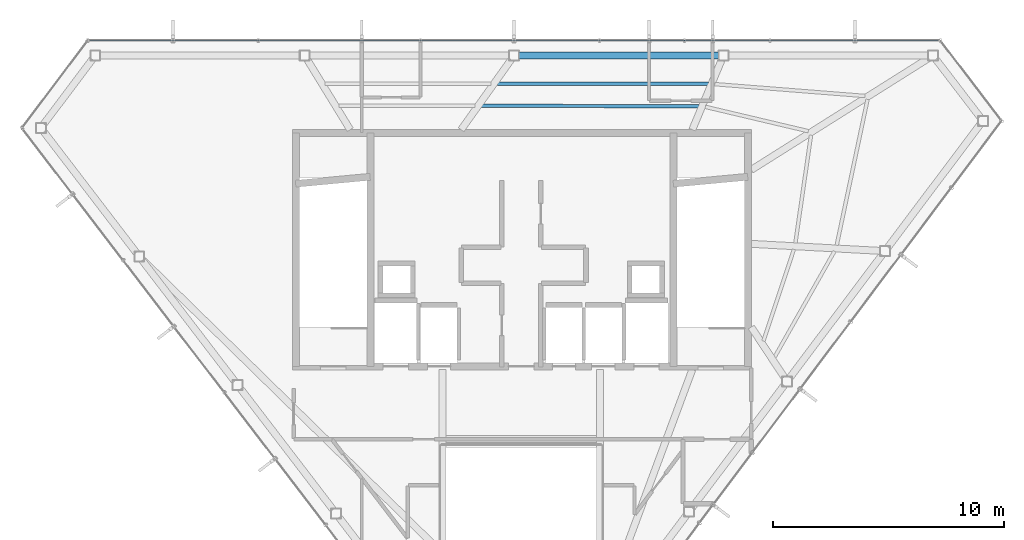
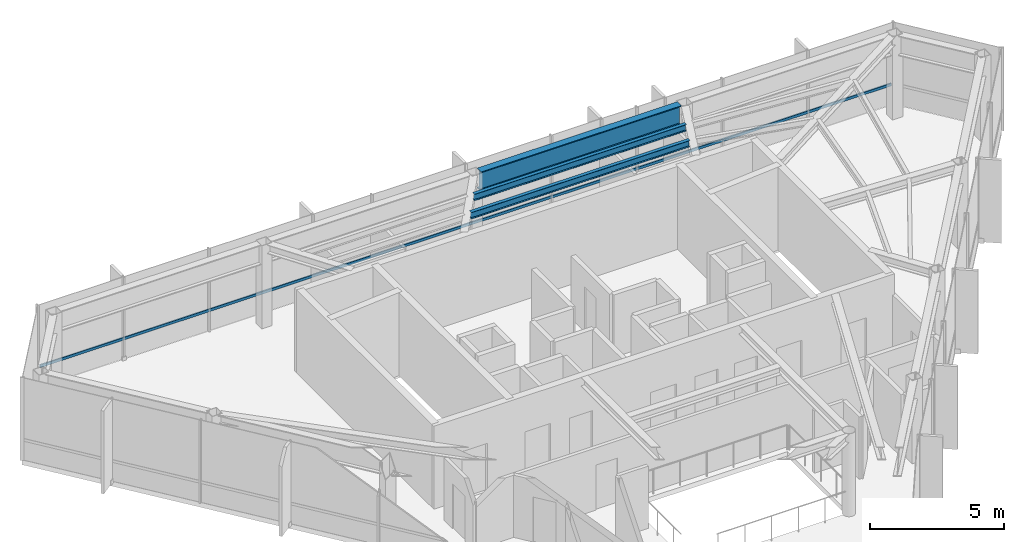
# One storey, part 12 of 21: 3 beams, 1 member, 1 element without a shape of its own.
"""IFC4 building model written with IfcOpenShell, lengths in metres."""

from ifc_helpers import new_model, si_unit, direction, frame, origin, origin_2d, place, context, subcontext, project, spatial, hollow_rectangle, i_section, extrude, material, layer, layer_set, material_profile, profile_set, type_object, element, aggregate, save


model = new_model("IFC4")

# Units and contexts
model_context = context("Model", 3, precision=1e-05, world=origin(), true_north=direction((0.0, 1.0)))
body_context = subcontext(model_context, "Body", "Model", "MODEL_VIEW")
ifc_project = project(units=[si_unit("LENGTHUNIT", "METRE"), si_unit("AREAUNIT", "SQUARE_METRE"), si_unit("VOLUMEUNIT", "CUBIC_METRE"), si_unit("PLANEANGLEUNIT", "RADIAN"), si_unit("MASSUNIT", "GRAM", prefix="KILO")], contexts=[model_context])

# Site, building, storey
site_placement = place(None, origin())
site = spatial("IfcSite", under=ifc_project, at=site_placement, CompositionType="ELEMENT")
building_placement = place(site_placement, origin())
building = spatial("IfcBuilding", under=site, at=building_placement, Name="Zarrinselat Tower", CompositionType="ELEMENT")
storey_placement = place(building_placement, frame((0.0, 0.0, 299.199951171875)))
storey = spatial("IfcBuildingStorey", under=building, at=storey_placement, Name="L77", CompositionType="ELEMENT", Elevation=299.199951171875)

# Beams
ifc_material_1 = material(Name="Steel S460M", Category="steel")
ifc_material_profile_1 = material_profile(ifc_material_1, i_section(OverallWidth=0.302001953125, OverallDepth=0.909912109375, WebThickness=0.02099609375, FlangeThickness=0.0400390625, at=origin_2d()), Name="HEM 900")
ifc_profile_set_1 = profile_set([ifc_material_profile_1], Name="Steel S460M")
beam_type_1 = type_object("IfcBeamType", Name="BM-HEM900", PredefinedType="BEAM", material=ifc_profile_set_1)
beam_1_placement = place(storey_placement, frame((38.30419921875, 46.75, 3.324951171875), z_axis=(1.0, 0.0, 0.0), x_axis=(0.0, 1.0, 0.0)))
element("IfcBeam", 1, at=beam_1_placement, inside=storey, type_object=beam_type_1, Name="L77 Perimeter Spandrel Girder SP02", PredefinedType="BEAM", context=body_context, shape_type="SweptSolid", body=[
    extrude(i_section(OverallWidth=0.302001953125, OverallDepth=0.909912109375, WebThickness=0.02099609375, FlangeThickness=0.0400390625, at=origin_2d()), origin(), (0.0, 0.0, 1.0), 8.63330078125),
])
ifc_material_2 = material(Name="Steel S355J2", Category="steel")
ifc_material_profile_2 = material_profile(ifc_material_2, i_section(OverallWidth=0.14990234375, OverallDepth=0.300048828125, WebThickness=0.007080078125, FlangeThickness=0.0107421875, at=origin_2d()), Name="IPE 300")
ifc_profile_set_2 = profile_set([ifc_material_profile_2], Name="Steel S355J2")
beam_type_2 = type_object("IfcBeamType", Name="BM-IPE300", PredefinedType="JOIST", material=ifc_profile_set_2)
beam_2_placement = place(storey_placement, frame((37.365234375, 45.536376953125, 3.630126953125), z_axis=(0.999998534988, -0.00171173089, 0.0), x_axis=(0.00171173089, 0.999998534988, 0.0)))
element("IfcBeam", 2, at=beam_2_placement, inside=storey, type_object=beam_type_2, Name="L77 Composite Floor Joist 7-1", PredefinedType="JOIST", context=body_context, shape_type="SweptSolid", body=[
    extrude(i_section(OverallWidth=0.14990234375, OverallDepth=0.300048828125, WebThickness=0.007080078125, FlangeThickness=0.0107421875, at=origin_2d()), origin(), (0.0, 0.0, 1.0), 9.128173828125),
])
beam_3_placement = place(storey_placement, frame((36.67431640625, 44.568359375, 3.630126953125), z_axis=(0.999999633872, -0.000855720048, 0.0), x_axis=(0.000855720048, 0.999999633872, 0.0)))
element("IfcBeam", 3, at=beam_3_placement, inside=storey, type_object=beam_type_2, Name="L77 Composite Floor Joist 7-2", PredefinedType="JOIST", context=body_context, shape_type="SweptSolid", body=[
    extrude(i_section(OverallWidth=0.14990234375, OverallDepth=0.300048828125, WebThickness=0.007080078125, FlangeThickness=0.0107421875, at=origin_2d()), origin(), (0.0, 0.0, 1.0), 9.4150390625),
])

# Curtain wall, member
ifc_material_3 = material(Name="Extruded Aluminium Alloy EN AW-6063 T6", Category="aluminium")
ifc_layer = layer(ifc_material_3, 0.169921875)
ifc_layer_set = layer_set([ifc_layer], Name="Extruded Aluminium Alloy EN AW-6063 T6")
curtain_wall_type = type_object("IfcCurtainWallType", Name="CWS-RES", PredefinedType="NOTDEFINED", material=ifc_layer_set)
curtain_wall_placement = place(storey_placement, origin())
curtain_wall = element("IfcCurtainWall", 4, at=curtain_wall_placement, inside=storey, type_object=curtain_wall_type, Name="L77 Unitised Curtain Wall CW-L77-E01", PredefinedType="NOTDEFINED")
ifc_material_4 = material(Name="Extruded Aluminium Alloy EN AW-6063 T6", Category="aluminium")
ifc_material_profile_3 = material_profile(ifc_material_4, hollow_rectangle(XDim=0.06005859375, YDim=0.1201171875, WallThickness=0.00390625, at=origin_2d()), Name="RHS 120x60x4")
ifc_profile_set_3 = profile_set([ifc_material_profile_3], Name="Extruded Aluminium Alloy EN AW-6063 T6")
member_type = type_object("IfcMemberType", Name="MEM-CW-TRN2", PredefinedType="USERDEFINED", material=ifc_profile_set_3)
member_placement = place(storey_placement, frame((56.44091796875, 47.39990234375, 0.949951171875), z_axis=(-1.0, 0.0, 0.0), x_axis=(0.0, -1.0, 0.0)))
member = element("IfcMember", 5, at=member_placement, type_object=member_type, Name="CW-L77-E01 Transom 1", ObjectType="TRANSOM", PredefinedType="USERDEFINED", context=body_context, shape_type="SweptSolid", body=[
    extrude(hollow_rectangle(XDim=0.06005859375, YDim=0.1201171875, WallThickness=0.00390625, at=origin_2d()), origin(), (0.0, 0.0, 1.0), 36.702880859375),
])
aggregate(curtain_wall, [member])

save(model, "model.ifc")
